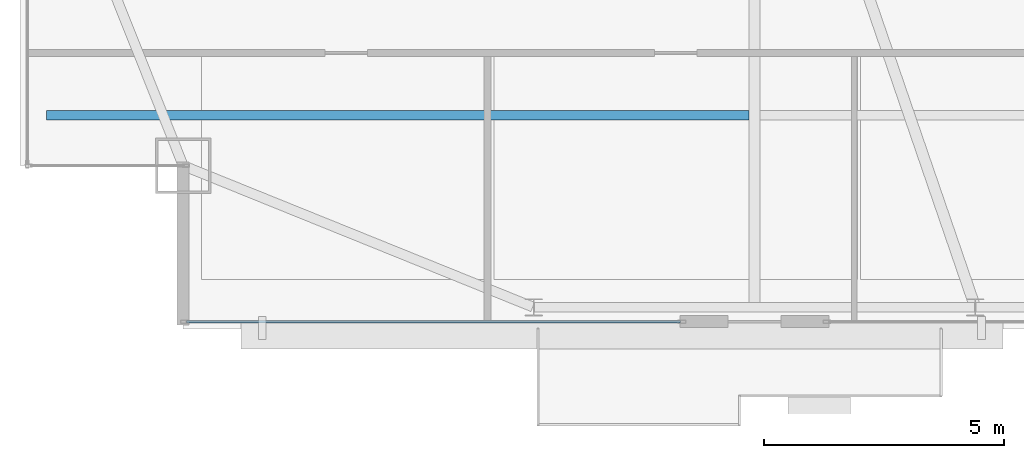
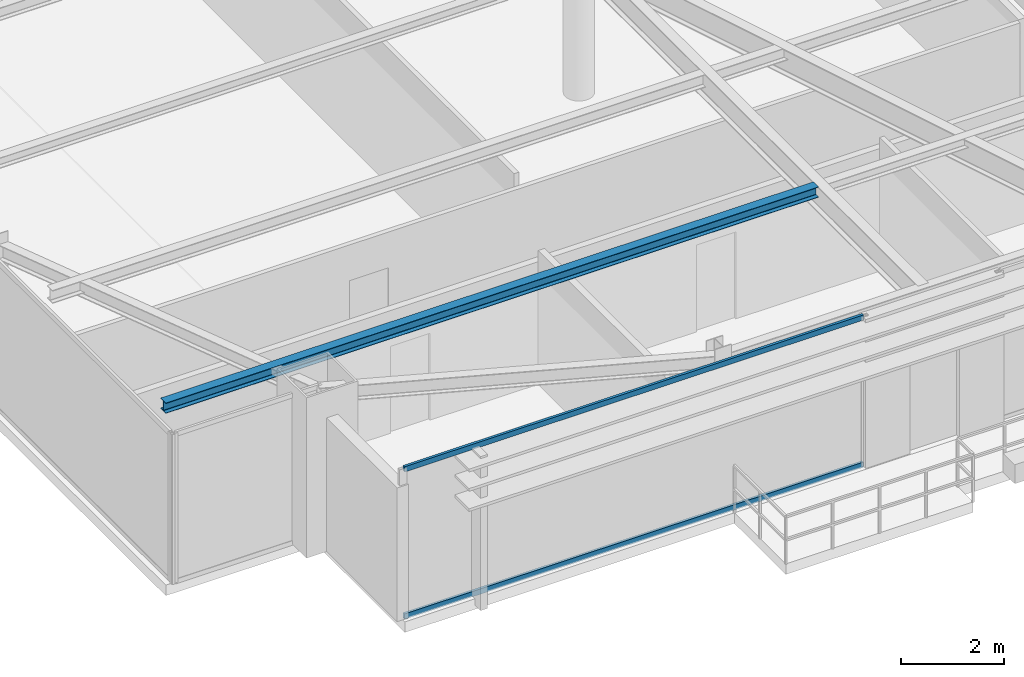
# One storey, part 5 of 30: 2 members, 1 beam, 1 element without a shape of its own.
"""IFC4 building model written with IfcOpenShell, lengths in metres."""

import ifcopenshell
import ifcopenshell.guid

model = None  # the IFC model being written
_history = None  # IfcOwnerHistory: only IFC2X3 demands one
_inside = {}  # id of a spatial element -> (the spatial element, [elements in it])
_under = {}  # id of a project, library or spatial element -> (it, [spatial elements below it])
_declared = {}  # id of a project -> (the project, [libraries it declares])
_typed = {}  # id of a type object -> (the type object, [elements of that type])
_made_of = {}  # id of a material, layer set ... -> (it, [elements and type objects made of it])


def new_model(schema):
    """Start an empty IFC model of exactly this schema.

    Asked for "IFC4X3", IfcOpenShell would pick the latest addendum, in which some entities
    have other attributes; the version numbers below select the first issue.
    IFC2X3 requires an IfcOwnerHistory on every rooted entity: one is made here for all.
    """
    global model, _history
    if schema == "IFC4X3":
        model = ifcopenshell.file(schema_version=(4, 3, 0, 0))
    else:
        model = ifcopenshell.file(schema=schema)
    _inside.clear()
    _under.clear()
    _declared.clear()
    _typed.clear()
    _made_of.clear()
    _history = None
    if model.schema == "IFC2X3":
        org = make("IfcOrganization", Name="unknown")
        user = make(
            "IfcPersonAndOrganization",
            ThePerson=make("IfcPerson", FamilyName="unknown"),
            TheOrganization=org,
        )
        app = make(
            "IfcApplication",
            ApplicationDeveloper=org,
            Version="unknown",
            ApplicationFullName="unknown",
            ApplicationIdentifier="unknown",
        )
        _history = make(
            "IfcOwnerHistory",
            OwningUser=user,
            OwningApplication=app,
            ChangeAction="ADDED",
            CreationDate=0,
        )
    return model


def make(cls, **values):
    """One entity of the class cls with the attributes given. An attribute that is None is left unset."""
    return model.create_entity(
        cls, **{name: value for name, value in values.items() if value is not None}
    )


def rooted(cls, **values):
    """An entity with a GlobalId (a new one), such as an element, a storey or a relation."""
    return make(cls, GlobalId=ifcopenshell.guid.new(), OwnerHistory=_history, **values)


def si_unit(unit_type, name, prefix=None):
    """IfcSIUnit, for example si_unit("LENGTHUNIT", "METRE", prefix="MILLI")."""
    return make("IfcSIUnit", UnitType=unit_type, Prefix=prefix, Name=name)


def assignment(units):
    """IfcUnitAssignment: the units of a project."""
    return None if units is None else make("IfcUnitAssignment", Units=units)


def point(xyz):
    """IfcCartesianPoint."""
    return None if xyz is None else make("IfcCartesianPoint", Coordinates=xyz)


def direction(xyz):
    """IfcDirection."""
    return None if xyz is None else make("IfcDirection", DirectionRatios=xyz)


def frame(location, z_axis=None, x_axis=None):
    """IfcAxis2Placement3D, a coordinate frame: its origin and axes. An axis left out is left unset."""
    return make(
        "IfcAxis2Placement3D",
        Location=point(location),
        Axis=direction(z_axis),
        RefDirection=direction(x_axis),
    )


def frame_2d(location, x_axis=None):
    """IfcAxis2Placement2D, a coordinate frame in the plane: its origin and x axis."""
    return make(
        "IfcAxis2Placement2D", Location=point(location), RefDirection=direction(x_axis)
    )


def origin():
    """The frame at (0, 0, 0) with its axes left unset."""
    return frame((0.0, 0.0, 0.0))


def origin_2d():
    """The frame at (0, 0) in the plane with its x axis left unset."""
    return frame_2d((0.0, 0.0))


def place(relative_to, where):
    """IfcLocalPlacement: puts the frame where relative to a parent placement (None: the world)."""
    return make(
        "IfcLocalPlacement", PlacementRelTo=relative_to, RelativePlacement=where
    )


def context(
    kind, dimensions, precision=None, world=None, true_north=None, identifier=None
):
    """IfcGeometricRepresentationContext, for example the 3D "Model" context."""
    return make(
        "IfcGeometricRepresentationContext",
        ContextIdentifier=identifier,
        ContextType=kind,
        CoordinateSpaceDimension=dimensions,
        Precision=precision,
        WorldCoordinateSystem=world,
        TrueNorth=true_north,
    )


def subcontext(parent, identifier, kind, view, scale=None):
    """IfcGeometricRepresentationSubContext, for example "Body" below "Model"."""
    return make(
        "IfcGeometricRepresentationSubContext",
        ContextIdentifier=identifier,
        ContextType=kind,
        ParentContext=parent,
        TargetScale=scale,
        TargetView=view,
    )


def project(units=None, contexts=None):
    """IfcProject with its units and contexts."""
    return rooted(
        "IfcProject",
        Name="project",
        RepresentationContexts=contexts,
        UnitsInContext=assignment(units),
    )


def spatial(cls, under=None, at=None, **own):
    """A site, building, storey or space (cls), placed at a placement, below another one or the project."""
    s = rooted(cls, ObjectPlacement=at, **own)
    if under is not None:
        _under.setdefault(under.id(), (under, []))[1].append(s)
    return s


def profile(cls, at=None, kind="AREA", **sizes):
    """A parametric profile (cls). Its sizes go by their IFC names, for example OverallWidth=200.0."""
    return make(cls, ProfileType=kind, Position=at, **sizes)


def hollow_rectangle(**sizes):
    """IfcRectangleHollowProfileDef."""
    return profile("IfcRectangleHollowProfileDef", **sizes)


def i_section(**sizes):
    """IfcIShapeProfileDef."""
    return profile("IfcIShapeProfileDef", **sizes)


def extrude(swept, where, along, depth):
    """IfcExtrudedAreaSolid: the profile swept, set in the frame where, extruded along a direction by depth."""
    return make(
        "IfcExtrudedAreaSolid",
        SweptArea=swept,
        Position=where,
        ExtrudedDirection=direction(along),
        Depth=depth,
    )


def shape(context_of_items, identifier, shape_type, items):
    """IfcShapeRepresentation: the items that make up one representation, for example the "Body"."""
    return make(
        "IfcShapeRepresentation",
        ContextOfItems=context_of_items,
        RepresentationIdentifier=identifier,
        RepresentationType=shape_type,
        Items=items,
    )


def source(mapping_origin, context_of_items, identifier, shape_type, items):
    """IfcRepresentationMap: a shape defined once, which mapped items show again and again."""
    return make(
        "IfcRepresentationMap",
        MappingOrigin=mapping_origin,
        MappedRepresentation=shape(context_of_items, identifier, shape_type, items),
    )


def transform(
    local_origin,
    x_axis=None,
    y_axis=None,
    z_axis=None,
    scale=None,
    scale2=None,
    scale3=None,
    uniform=True,
):
    """IfcCartesianTransformationOperator3D, or its non-uniform kind. x_axis, y_axis, z_axis: its Axis1, 2, 3."""
    if uniform:
        return make(
            "IfcCartesianTransformationOperator3D",
            Axis1=direction(x_axis),
            Axis2=direction(y_axis),
            LocalOrigin=point(local_origin),
            Scale=scale,
            Axis3=direction(z_axis),
        )
    return make(
        "IfcCartesianTransformationOperator3DnonUniform",
        Axis1=direction(x_axis),
        Axis2=direction(y_axis),
        LocalOrigin=point(local_origin),
        Scale=scale,
        Axis3=direction(z_axis),
        Scale2=scale2,
        Scale3=scale3,
    )


def mapped(mapping_source, mapping_target):
    """IfcMappedItem: shows the shape of a source again, moved by a transform."""
    return make(
        "IfcMappedItem", MappingSource=mapping_source, MappingTarget=mapping_target
    )


def material(Name=None, Category=None):
    """IfcMaterial."""
    return make("IfcMaterial", Name=Name, Category=Category)


def layer(
    of_material, thickness, ventilated=None, Name=None, Category=None, Priority=None
):
    """IfcMaterialLayer: one layer of a wall or slab, of a material (None: an air gap)."""
    return make(
        "IfcMaterialLayer",
        Material=of_material,
        LayerThickness=thickness,
        IsVentilated=ventilated,
        Name=Name,
        Category=Category,
        Priority=Priority,
    )


def layer_set(layers, Name=None):
    """IfcMaterialLayerSet."""
    return make("IfcMaterialLayerSet", MaterialLayers=layers, LayerSetName=Name)


def material_profile(
    of_material, cross_section, Name=None, Category=None, Priority=None
):
    """IfcMaterialProfile: a cross section and its material."""
    return make(
        "IfcMaterialProfile",
        Name=Name,
        Material=of_material,
        Profile=cross_section,
        Priority=Priority,
        Category=Category,
    )


def profile_set(profiles, Name=None, composite=None):
    """IfcMaterialProfileSet."""
    return make(
        "IfcMaterialProfileSet",
        Name=Name,
        MaterialProfiles=profiles,
        CompositeProfile=composite,
    )


def made_of(thing, what):
    """Note that an element or type object is made of a material, layer set ...; save() writes the relation."""
    if what is not None:
        _made_of.setdefault(what.id(), (what, []))[1].append(thing)
    return thing


def type_object(cls, material=None, **own):
    """A type object (cls), such as IfcWallType, which elements share."""
    return made_of(rooted(cls, **own), material)


def type_shapes(of_type, sources):
    """Give a type object the sources (RepresentationMaps) that its elements show as mapped items."""
    of_type.RepresentationMaps = sources


def element(
    cls,
    number,
    at=None,
    inside=None,
    cuts=None,
    type_object=None,
    material=None,
    context=None,
    identifier="Body",
    shape_type=None,
    held_by="IfcProductDefinitionShape",
    body=None,
    shapes=None,
    **own,
):
    """One element of the class cls, such as IfcWall. Its Tag is "e" and its number.

    at: its placement. inside: the storey or other place that contains it. cuts: it is an
    opening in that element (IfcRelVoidsElement). A single representation is given by context,
    identifier, shape_type and body (its items); several are given by shapes. held_by: the class
    of the entity that holds the representations. save() writes the other relations.
    """
    e = rooted(cls, Tag="e%d" % number, ObjectPlacement=at, **own)
    if body is not None:
        shapes = [shape(context, identifier, shape_type, body)]
    if shapes is not None:
        e.Representation = make(held_by, Representations=shapes)
    if inside is not None:
        _inside.setdefault(inside.id(), (inside, []))[1].append(e)
    if cuts is not None:
        rooted(
            "IfcRelVoidsElement", RelatingBuildingElement=cuts, RelatedOpeningElement=e
        )
    if type_object is not None:
        _typed.setdefault(type_object.id(), (type_object, []))[1].append(e)
    return made_of(e, material)


def aggregate(whole, parts):
    """IfcRelAggregates: a whole, such as a stair, and the parts it consists of."""
    return rooted("IfcRelAggregates", RelatingObject=whole, RelatedObjects=parts)


def save(model, path):
    """Write the relations noted so far, then the file.

    IfcRelAggregates (storeys below a building ...), IfcRelContainedInSpatialStructure (elements
    in a storey), IfcRelDefinesByType, IfcRelAssociatesMaterial and IfcRelDeclares: one each for
    every whole, place, type object, material and project.
    """
    for whole, parts in _under.values():
        aggregate(whole, parts)
    for where, things in _inside.values():
        rooted(
            "IfcRelContainedInSpatialStructure",
            RelatedElements=things,
            RelatingStructure=where,
        )
    for kind, things in _typed.values():
        rooted("IfcRelDefinesByType", RelatedObjects=things, RelatingType=kind)
    for what, things in _made_of.values():
        rooted("IfcRelAssociatesMaterial", RelatedObjects=things, RelatingMaterial=what)
    for by, libraries in _declared.values():
        rooted("IfcRelDeclares", RelatingContext=by, RelatedDefinitions=libraries)
    model.write(path)


model = new_model("IFC4")

# Units and contexts
model_context = context("Model", 3, precision=1e-05, world=origin(), true_north=direction((0.0, 1.0)))
body_context = subcontext(model_context, "Body", "Model", "MODEL_VIEW")
ifc_project = project(units=[si_unit("LENGTHUNIT", "METRE"), si_unit("AREAUNIT", "SQUARE_METRE"), si_unit("VOLUMEUNIT", "CUBIC_METRE"), si_unit("PLANEANGLEUNIT", "RADIAN"), si_unit("MASSUNIT", "GRAM", prefix="KILO")], contexts=[model_context])

# Site, building, storey
site_placement = place(None, origin())
site = spatial("IfcSite", under=ifc_project, at=site_placement, CompositionType="ELEMENT")
building_placement = place(site_placement, origin())
building = spatial("IfcBuilding", under=site, at=building_placement, Name="Varnel Quay Broadcast Tower", CompositionType="ELEMENT")
storey_placement = place(building_placement, frame((0.0, 0.0, 222.60009765625)))
storey = spatial("IfcBuildingStorey", under=building, at=storey_placement, Name="L55", CompositionType="ELEMENT", Elevation=222.60009765625)

# Beam
ifc_material_1 = material(Name="Structural Steel CSA G40.21 350W", Category="steel")
ifc_material_profile_1 = material_profile(ifc_material_1, i_section(OverallWidth=0.201904296875, OverallDepth=0.2470703125, WebThickness=0.00732421875, FlangeThickness=0.010986328125, FilletRadius=0.010986328125, at=origin_2d()), Name="W250X49")
ifc_profile_set_1 = profile_set([ifc_material_profile_1], Name="Structural Steel CSA G40.21 350W")
beam_type = type_object("IfcBeamType", Name="Beam_W250X49", PredefinedType="JOIST", material=ifc_profile_set_1)
shared_shape_1 = source(origin(), body_context, "Body", "SweptSolid", [
    extrude(i_section(OverallWidth=0.201904296875, OverallDepth=0.2470703125, WebThickness=0.00732421875, FlangeThickness=0.010986328125, FilletRadius=0.010986328125, at=origin_2d()), origin(), (0.0, 0.0, 1.0), 14.642333984375),
])
type_shapes(beam_type, [shared_shape_1])
beam_placement = place(storey_placement, frame((10.047607421875, 14.64990234375, 3.426513671875), z_axis=(1.0, 0.0, 0.0), x_axis=(0.0, 1.0, 0.0)))
element("IfcBeam", 1, at=beam_placement, inside=storey, type_object=beam_type, Name="L55 West Floor Joist 1", PredefinedType="JOIST", context=body_context, shape_type="MappedRepresentation", body=[
    mapped(shared_shape_1, transform((0.0, 0.0, 0.0), x_axis=(1.0, 0.0, 0.0), y_axis=(0.0, 1.0, 0.0), z_axis=(0.0, 0.0, 1.0), scale=1.0)),
])

# Curtain wall, members
ifc_material_2 = material(Name="Anodised Bronze Aluminium 6063-T6", Category="aluminium")
ifc_layer = layer(ifc_material_2, 0.18994140625, Name="Anodised Bronze Aluminium 6063-T6")
ifc_layer_set = layer_set([ifc_layer], Name="Anodised Bronze Aluminium 6063-T6")
curtain_wall_type = type_object("IfcCurtainWallType", Name="CW_UpperTower", PredefinedType="NOTDEFINED", material=ifc_layer_set)
curtain_wall_placement = place(storey_placement, origin())
curtain_wall = element("IfcCurtainWall", 2, at=curtain_wall_placement, inside=storey, type_object=curtain_wall_type, Name="L55 South Unitised Curtain Wall 1", PredefinedType="NOTDEFINED")
ifc_material_profile_2 = material_profile(ifc_material_2, hollow_rectangle(XDim=0.06005859375, YDim=0.125, WallThickness=0.0029296875, at=origin_2d()), Name="ALU60X125X3")
ifc_profile_set_2 = profile_set([ifc_material_profile_2], Name="Anodised Bronze Aluminium 6063-T6")
member_type = type_object("IfcMemberType", Name="Tran_CWS-03", PredefinedType="USERDEFINED", material=ifc_profile_set_2)
shared_shape_2 = source(origin(), body_context, "Body", "SweptSolid", [
    extrude(hollow_rectangle(XDim=0.06005859375, YDim=0.125, WallThickness=0.0029296875, at=origin_2d()), origin(), (0.0, 0.0, 1.0), 10.289794921875),
])
type_shapes(member_type, [shared_shape_2])
member_1_placement = place(storey_placement, frame((12.965087890625, 10.35009765625, 0.02978515625), z_axis=(1.0, 0.0, 0.0), x_axis=(0.0, 1.0, 0.0)))
member_1 = element("IfcMember", 3, at=member_1_placement, type_object=member_type, Name="CWS-03 transom 1.1", ObjectType="TRANSOM", PredefinedType="USERDEFINED", context=body_context, shape_type="MappedRepresentation", body=[
    mapped(shared_shape_2, transform((0.0, 0.0, 0.0), x_axis=(1.0, 0.0, 0.0), y_axis=(0.0, 1.0, 0.0), z_axis=(0.0, 0.0, 1.0), scale=1.0)),
])
member_2_placement = place(storey_placement, frame((12.965087890625, 10.35009765625, 3.52001953125), z_axis=(1.0, 0.0, 0.0), x_axis=(0.0, 1.0, 0.0)))
member_2 = element("IfcMember", 4, at=member_2_placement, type_object=member_type, Name="CWS-03 transom 1.2", ObjectType="TRANSOM", PredefinedType="USERDEFINED", context=body_context, shape_type="MappedRepresentation", body=[
    mapped(shared_shape_2, transform((0.0, 0.0, 0.0), x_axis=(1.0, 0.0, 0.0), y_axis=(0.0, 1.0, 0.0), z_axis=(0.0, 0.0, 1.0), scale=1.0)),
])
aggregate(curtain_wall, [member_1, member_2])

save(model, "model.ifc")
